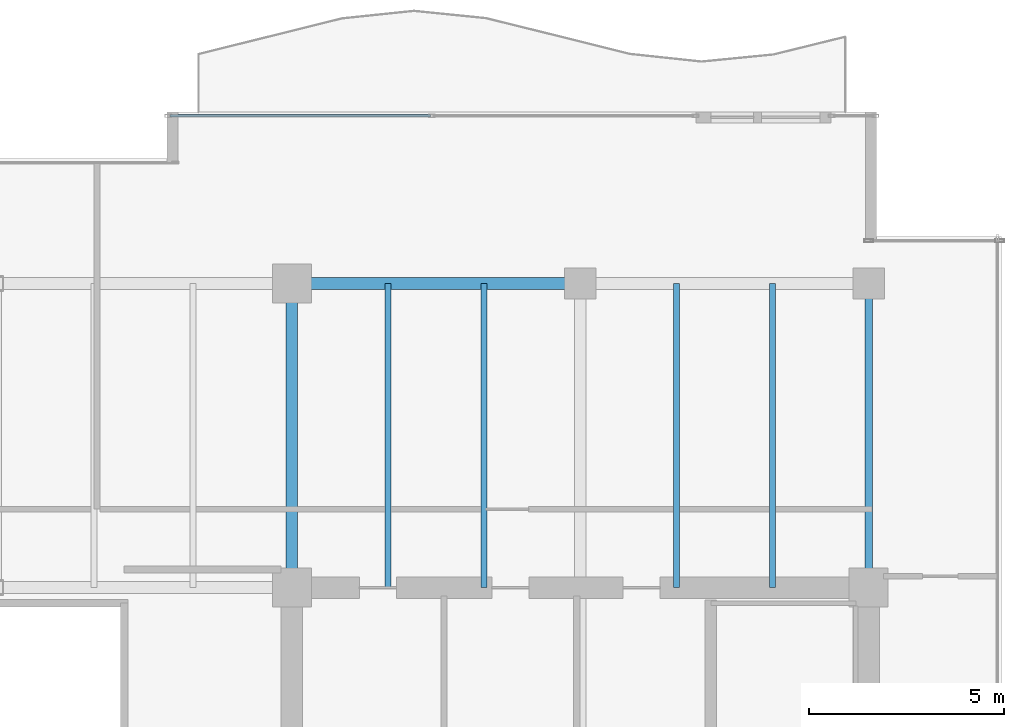
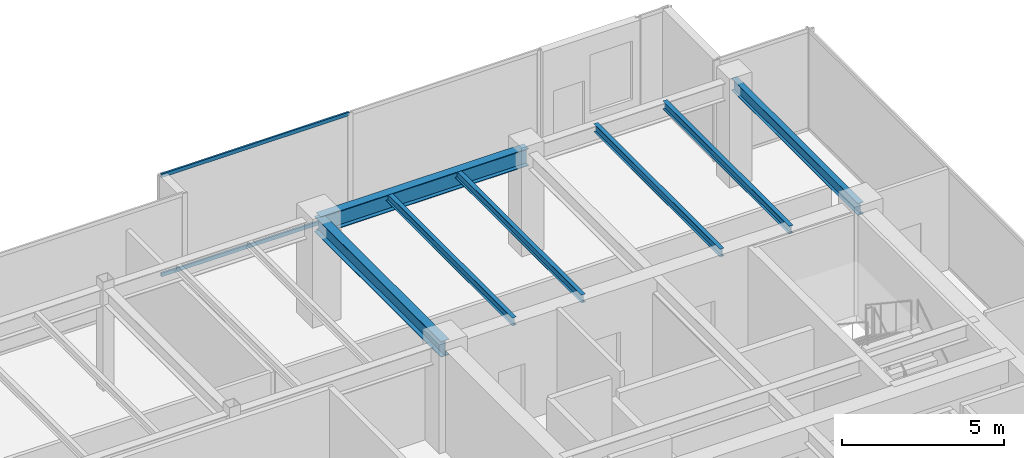
# One storey, part 20 of 34: 7 beams, 2 members, 1 element without a shape of its own.
"""IFC4 building model written with IfcOpenShell, lengths in metres."""

from ifc_helpers import new_model, si_unit, direction, frame, origin, origin_2d, place, context, subcontext, project, spatial, hollow_rectangle, i_section, extrude, source, transform, mapped, material, layer, layer_set, material_profile, profile_set, type_object, type_shapes, element, aggregate, save


model = new_model("IFC4")

# Units and contexts
model_context = context("Model", 3, precision=1e-05, world=origin(), true_north=direction((0.0, 1.0)))
body_context = subcontext(model_context, "Body", "Model", "MODEL_VIEW")
ifc_project = project(units=[si_unit("LENGTHUNIT", "METRE"), si_unit("AREAUNIT", "SQUARE_METRE"), si_unit("VOLUMEUNIT", "CUBIC_METRE"), si_unit("PLANEANGLEUNIT", "RADIAN"), si_unit("MASSUNIT", "GRAM", prefix="KILO")], contexts=[model_context])

# Site, building, storey
site_placement = place(None, origin())
site = spatial("IfcSite", under=ifc_project, at=site_placement, CompositionType="ELEMENT")
building_placement = place(site_placement, origin())
building = spatial("IfcBuilding", under=site, at=building_placement, Name="Haelvirn Gate Laboratories", CompositionType="ELEMENT")
storey_placement = place(building_placement, frame((0.0, 0.0, 205.5)))
storey = spatial("IfcBuildingStorey", under=building, at=storey_placement, Name="L49", CompositionType="ELEMENT", Elevation=205.5)

# Beams
ifc_material_1 = material(Name="Steel SM355", Category="steel")
ifc_material_profile_1 = material_profile(ifc_material_1, i_section(OverallWidth=0.14990234375, OverallDepth=0.300048828125, WebThickness=0.006591796875, FlangeThickness=0.009033203125, at=origin_2d()), Name="H-300x150x6.5x9")
ifc_profile_set_1 = profile_set([ifc_material_profile_1], Name="Steel SM355")
beam_type_1 = type_object("IfcBeamType", Name="BM-J-300", PredefinedType="JOIST", material=ifc_profile_set_1)
shared_shape_1 = source(origin(), body_context, "Body", "SweptSolid", [
    extrude(i_section(OverallWidth=0.14990234375, OverallDepth=0.300048828125, WebThickness=0.006591796875, FlangeThickness=0.009033203125, at=origin_2d()), origin(), (0.0, 0.0, 1.0), 7.800048828125),
])
type_shapes(beam_type_1, [shared_shape_1])
for number, where, z_axis, x_axis, name in (
    (1, (55.070068359375, 33.800048828125, 3.64990234375), (0.0, 1.0, 0.0), (-1.0, 0.0, 0.0), "L49 Composite Lab Joist North X55.07"),
    (2, (57.530029296875, 33.800048828125, 3.64990234375), (0.0, 1.0, 0.0), (-1.0, 0.0, 0.0), "L49 Composite Lab Joist North X57.53"),
    (3, (62.469970703125, 33.800048828125, 3.64990234375), (0.0, 1.0, 0.0), (-1.0, 0.0, 0.0), "L49 Composite Lab Joist North X62.47"),
    (4, (64.929931640625, 33.800048828125, 3.64990234375), (0.0, 1.0, 0.0), (-1.0, 0.0, 0.0), "L49 Composite Lab Joist North X64.93"),
):
    element("IfcBeam", number, at=place(storey_placement, frame(where, z_axis=z_axis, x_axis=x_axis)), inside=storey, type_object=beam_type_1, Name=name, PredefinedType="JOIST", context=body_context, shape_type="MappedRepresentation", body=[
        mapped(shared_shape_1, transform((0.0, 0.0, 0.0), scale=1.0)),
    ])
ifc_material_profile_2 = material_profile(ifc_material_1, i_section(OverallWidth=0.300048828125, OverallDepth=0.587890625, WebThickness=0.011962890625, FlangeThickness=0.02001953125, at=origin_2d()), Name="H-588x300x12x20")
ifc_profile_set_2 = profile_set([ifc_material_profile_2], Name="Steel SM355")
beam_type_2 = type_object("IfcBeamType", Name="BM-G-588", PredefinedType="BEAM", material=ifc_profile_set_2)
shared_shape_2 = source(origin(), body_context, "Body", "SweptSolid", [
    extrude(i_section(OverallWidth=0.300048828125, OverallDepth=0.587890625, WebThickness=0.011962890625, FlangeThickness=0.02001953125, at=origin_2d()), origin(), (0.0, 0.0, 1.0), 7.800048828125),
])
type_shapes(beam_type_2, [shared_shape_2])
beam_1_placement = place(storey_placement, frame((52.60009765625, 33.800048828125, 3.506103515625), z_axis=(0.0, 1.0, 0.0), x_axis=(-1.0, 0.0, 0.0)))
element("IfcBeam", 5, at=beam_1_placement, inside=storey, type_object=beam_type_2, Name="L49 Frame Girder X52.6 (33.8-41.6)", PredefinedType="BEAM", context=body_context, shape_type="MappedRepresentation", body=[
    mapped(shared_shape_2, transform((0.0, 0.0, 0.0), scale=1.0)),
])
ifc_material_profile_3 = material_profile(ifc_material_1, i_section(OverallWidth=0.300048828125, OverallDepth=0.64990234375, WebThickness=0.012939453125, FlangeThickness=0.02197265625, at=origin_2d()), Name="H-650x300x13x22")
ifc_profile_set_3 = profile_set([ifc_material_profile_3], Name="Steel SM355")
beam_type_3 = type_object("IfcBeamType", Name="BM-G-650", PredefinedType="BEAM", material=ifc_profile_set_3)
shared_shape_3 = source(origin(), body_context, "Body", "SweptSolid", [
    extrude(i_section(OverallWidth=0.300048828125, OverallDepth=0.64990234375, WebThickness=0.012939453125, FlangeThickness=0.02197265625, at=origin_2d()), origin(), (0.0, 0.0, 1.0), 7.39990234375),
])
type_shapes(beam_type_3, [shared_shape_3])
beam_2_placement = place(storey_placement, frame((52.60009765625, 41.60009765625, 3.47509765625), z_axis=(1.0, 0.0, 0.0), x_axis=(0.0, 1.0, 0.0)))
element("IfcBeam", 6, at=beam_2_placement, inside=storey, type_object=beam_type_3, Name="L49 Primary Girder Y41.6 (52.6-60.0)", PredefinedType="BEAM", context=body_context, shape_type="MappedRepresentation", body=[
    mapped(shared_shape_3, transform((0.0, 0.0, 0.0), scale=1.0)),
])
ifc_material_profile_4 = material_profile(ifc_material_1, i_section(OverallWidth=0.199951171875, OverallDepth=0.449951171875, WebThickness=0.009033203125, FlangeThickness=0.013916015625, at=origin_2d()), Name="H-450x200x9x14")
ifc_profile_set_4 = profile_set([ifc_material_profile_4], Name="Steel SM355")
beam_type_4 = type_object("IfcBeamType", Name="BM-SP-450", PredefinedType="SPANDREL", material=ifc_profile_set_4)
shared_shape_4 = source(origin(), body_context, "Body", "SweptSolid", [
    extrude(i_section(OverallWidth=0.199951171875, OverallDepth=0.449951171875, WebThickness=0.009033203125, FlangeThickness=0.013916015625, at=origin_2d()), origin(), (0.0, 0.0, 1.0), 7.800048828125),
])
type_shapes(beam_type_4, [shared_shape_4])
beam_3_placement = place(storey_placement, frame((67.39990234375, 33.800048828125, 3.574951171875), z_axis=(0.0, 1.0, 0.0), x_axis=(-1.0, 0.0, 0.0)))
element("IfcBeam", 7, at=beam_3_placement, inside=storey, type_object=beam_type_4, Name="L49 Perimeter Spandrel X67.4 (33.8-41.6)", PredefinedType="SPANDREL", context=body_context, shape_type="MappedRepresentation", body=[
    mapped(shared_shape_4, transform((0.0, 0.0, 0.0), scale=1.0)),
])

# Curtain wall, members
ifc_material_2 = material(Name="Anodised bronze unitised aluminium & triple low-E glass", Category="aluminium")
ifc_layer = layer(ifc_material_2, 0.176025390625, Name="CW-SYS-4")
ifc_layer_set = layer_set([ifc_layer], Name="Anodised bronze unitised aluminium & triple low-E glass")
curtain_wall_type = type_object("IfcCurtainWallType", Name="CW-SYS-4", PredefinedType="NOTDEFINED", material=ifc_layer_set)
curtain_wall_placement = place(storey_placement, origin())
curtain_wall = element("IfcCurtainWall", 8, at=curtain_wall_placement, inside=storey, type_object=curtain_wall_type, Name="L49 Unitised Curtain Wall CW-L49-P0-E10-1", PredefinedType="NOTDEFINED")
ifc_material_3 = material(Name="Extruded aluminium 6063-T6 (anodised bronze)", Category="aluminium")
ifc_material_profile_5 = material_profile(ifc_material_3, hollow_rectangle(XDim=0.06494140625, YDim=0.139892578125, WallThickness=0.00390625, at=origin_2d()), Name="CWT-140x65x4")
ifc_profile_set_5 = profile_set([ifc_material_profile_5], Name="Extruded aluminium 6063-T6 (anodised bronze)")
member_type = type_object("IfcMemberType", Name="CWT-T140", PredefinedType="USERDEFINED", material=ifc_profile_set_5)
shared_shape_5 = source(origin(), body_context, "Body", "SweptSolid", [
    extrude(hollow_rectangle(XDim=0.06494140625, YDim=0.139892578125, WallThickness=0.00390625, at=origin_2d()), origin(), (0.0, 0.0, 1.0), 6.68505859375),
])
type_shapes(member_type, [shared_shape_5])
member_1_placement = place(storey_placement, frame((49.469970703125, 45.89990234375, 0.032470703125), z_axis=(1.0, 0.0, 0.0), x_axis=(0.0, 1.0, 0.0)))
member_1 = element("IfcMember", 9, at=member_1_placement, type_object=member_type, Name="CW4 transom 1.1", ObjectType="TRANSOM", PredefinedType="USERDEFINED", context=body_context, shape_type="MappedRepresentation", body=[
    mapped(shared_shape_5, transform((0.0, 0.0, 0.0), scale=1.0)),
])
member_2_placement = place(storey_placement, frame((49.469970703125, 45.89990234375, 3.767578125), z_axis=(1.0, 0.0, 0.0), x_axis=(0.0, 1.0, 0.0)))
member_2 = element("IfcMember", 10, at=member_2_placement, type_object=member_type, Name="CW4 transom 1.2", ObjectType="TRANSOM", PredefinedType="USERDEFINED", context=body_context, shape_type="MappedRepresentation", body=[
    mapped(shared_shape_5, transform((0.0, 0.0, 0.0), scale=1.0)),
])
aggregate(curtain_wall, [member_1, member_2])

save(model, "model.ifc")
